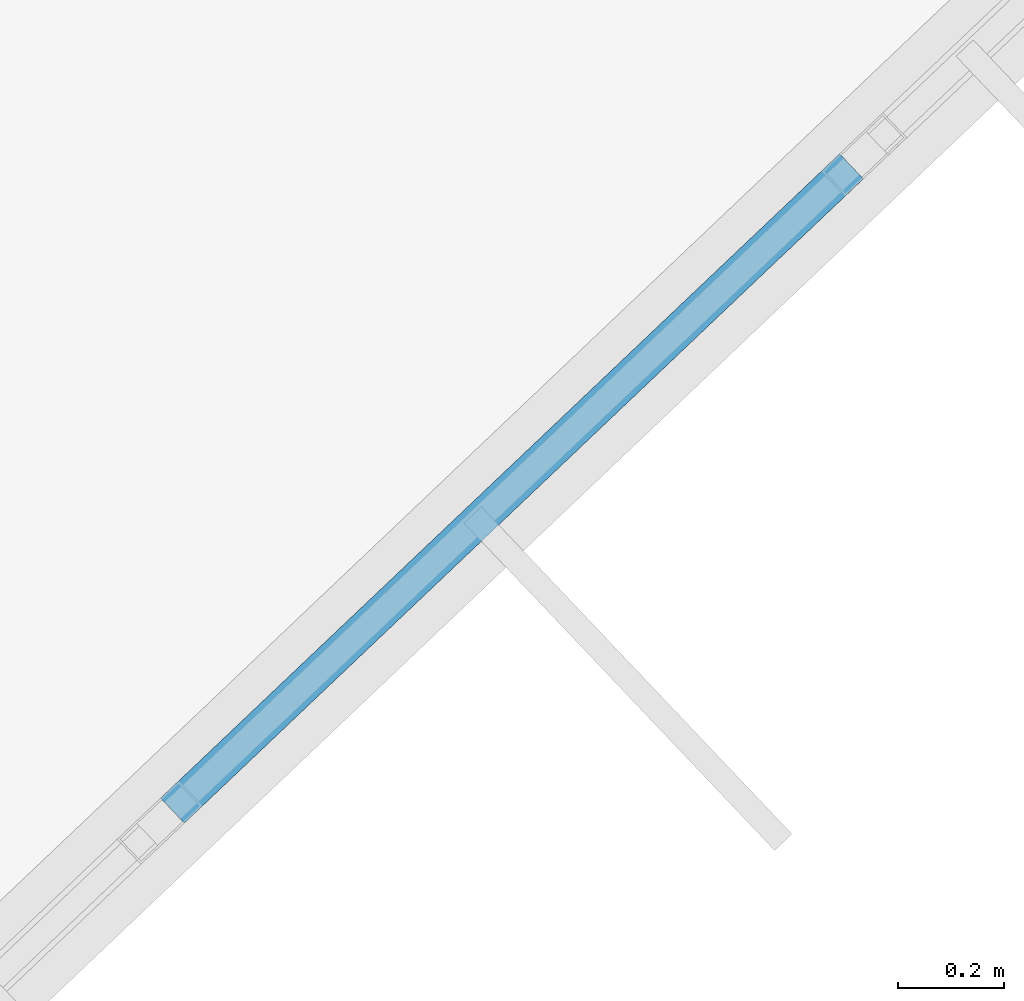
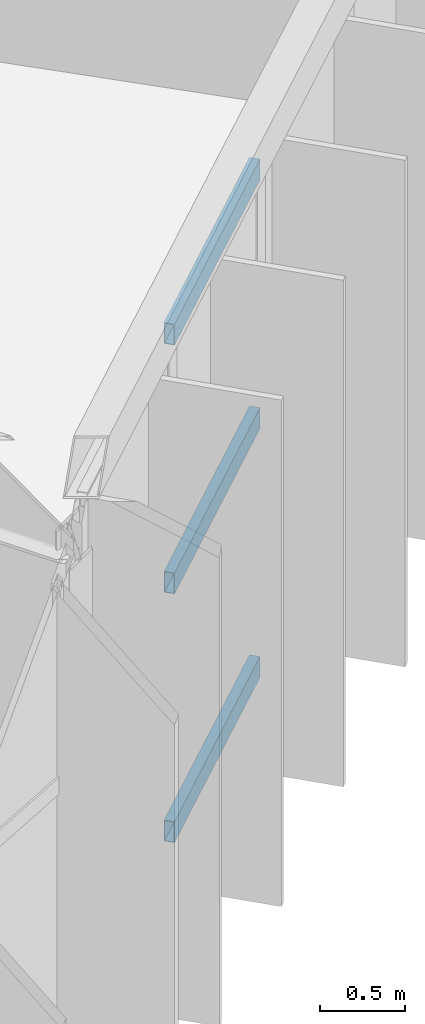
# One storey, part 46 of 134: 3 members, 1 element without a shape of its own.
"""IFC4 building model written with IfcOpenShell, lengths in metres."""

from ifc_helpers import new_model, si_unit, direction, frame, origin, origin_2d, place, context, subcontext, project, spatial, hollow_rectangle, extrude, material, material_profile, profile_set, type_object, element, aggregate, save


model = new_model("IFC4")

# Units and contexts
model_context = context("Model", 3, precision=1e-05, world=origin(), true_north=direction((0.0, 1.0)))
body_context = subcontext(model_context, "Body", "Model", "MODEL_VIEW")
ifc_project = project(units=[si_unit("LENGTHUNIT", "METRE"), si_unit("AREAUNIT", "SQUARE_METRE"), si_unit("VOLUMEUNIT", "CUBIC_METRE"), si_unit("PLANEANGLEUNIT", "RADIAN"), si_unit("MASSUNIT", "GRAM", prefix="KILO")], contexts=[model_context])

# Site, building, storey
site_placement = place(None, origin())
site = spatial("IfcSite", under=ifc_project, at=site_placement, CompositionType="ELEMENT")
building_placement = place(site_placement, origin())
building = spatial("IfcBuilding", under=site, at=building_placement, Name="Karori Crest Natural Sciences Institute", CompositionType="ELEMENT")
storey_placement = place(building_placement, frame((0.0, 0.0, 21.699951171875)))
storey = spatial("IfcBuildingStorey", under=building, at=storey_placement, Name="L05", CompositionType="ELEMENT", Elevation=21.699951171875)

# Curtain wall, members
ifc_material = material(Name="Anodised architectural aluminium 6063-T6", Category="aluminium")
curtain_wall_type = type_object("IfcCurtainWallType", Name="CWT-01", PredefinedType="NOTDEFINED", material=ifc_material)
curtain_wall_placement = place(storey_placement, origin())
curtain_wall = element("IfcCurtainWall", 1, at=curtain_wall_placement, inside=storey, type_object=curtain_wall_type, Name="Curtain wall CW-0202", PredefinedType="NOTDEFINED")
ifc_material_profile = material_profile(ifc_material, hollow_rectangle(XDim=0.06494140625, YDim=0.14990234375, WallThickness=0.00390625, at=origin_2d()), Name="CWT150x65x4")
ifc_profile_set = profile_set([ifc_material_profile], Name="Anodised architectural aluminium 6063-T6")
member_type = type_object("IfcMemberType", Name="CWT-TR2", PredefinedType="USERDEFINED", material=ifc_profile_set)
member_1_placement = place(storey_placement, frame((85.60498046875, 17.13232421875, 0.032470703125), z_axis=(-0.725483196334, -0.688239879575, 0.0), x_axis=(0.688239879575, -0.725483196334, 0.0)))
member_1 = element("IfcMember", 2, at=member_1_placement, type_object=member_type, Name="CW-0202 transom 4.1", ObjectType="TRANSOM", PredefinedType="USERDEFINED", context=body_context, shape_type="SweptSolid", body=[
    extrude(hollow_rectangle(XDim=0.06494140625, YDim=0.14990234375, WallThickness=0.00390625, at=origin_2d()), origin(), (0.0, 0.0, 1.0), 1.763427734375),
])
member_2_placement = place(storey_placement, frame((85.60498046875, 17.13232421875, 1.8125), z_axis=(-0.725483196334, -0.688239879575, 0.0), x_axis=(0.688239879575, -0.725483196334, 0.0)))
member_2 = element("IfcMember", 3, at=member_2_placement, type_object=member_type, Name="CW-0202 transom 4.2", ObjectType="TRANSOM", PredefinedType="USERDEFINED", context=body_context, shape_type="SweptSolid", body=[
    extrude(hollow_rectangle(XDim=0.06494140625, YDim=0.14990234375, WallThickness=0.00390625, at=origin_2d()), origin(), (0.0, 0.0, 1.0), 1.763427734375),
])
member_3_placement = place(storey_placement, frame((85.60498046875, 17.13232421875, 3.592529296875), z_axis=(-0.725483196334, -0.688239879575, 0.0), x_axis=(0.688239879575, -0.725483196334, 0.0)))
member_3 = element("IfcMember", 4, at=member_3_placement, type_object=member_type, Name="CW-0202 transom 4.3", ObjectType="TRANSOM", PredefinedType="USERDEFINED", context=body_context, shape_type="SweptSolid", body=[
    extrude(hollow_rectangle(XDim=0.06494140625, YDim=0.14990234375, WallThickness=0.00390625, at=origin_2d()), origin(), (0.0, 0.0, 1.0), 1.763427734375),
])
aggregate(curtain_wall, [member_1, member_2, member_3])

save(model, "model.ifc")
